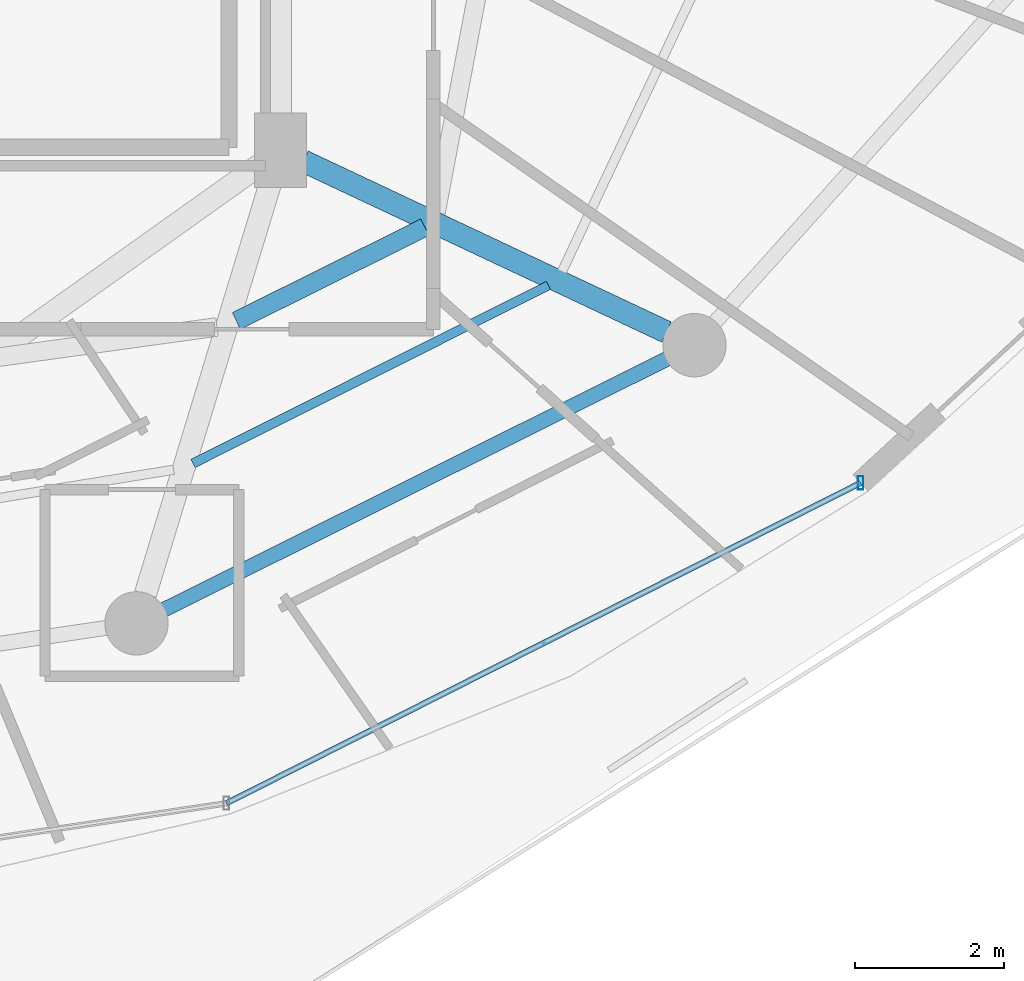
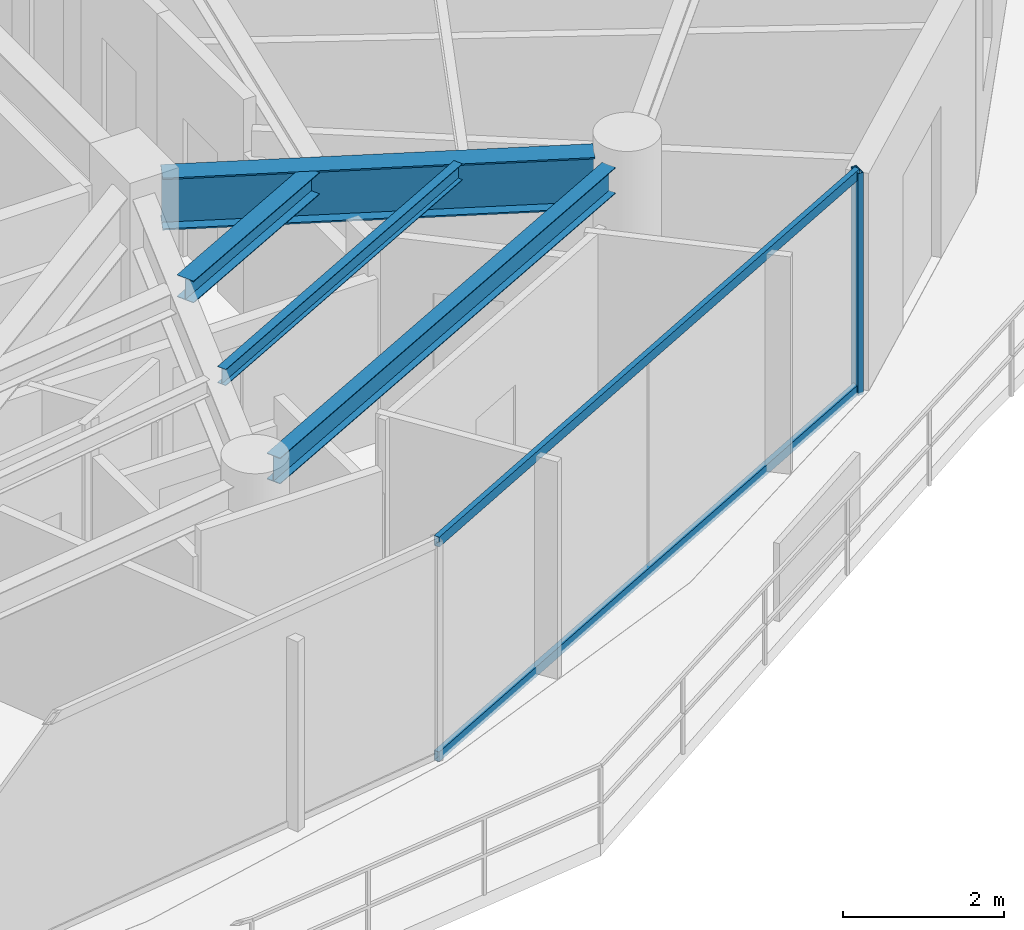
# One storey, part 11 of 29: 4 beams, 3 members, 1 element without a shape of its own.
"""IFC4 building model written with IfcOpenShell, lengths in metres."""

from ifc_helpers import new_model, si_unit, direction, frame, origin, origin_2d, place, context, subcontext, project, spatial, hollow_rectangle, i_section, extrude, material, material_profile, profile_set, type_object, element, aggregate, save


model = new_model("IFC4")

# Units and contexts
model_context = context("Model", 3, precision=1e-05, world=origin(), true_north=direction((0.0, 1.0)))
body_context = subcontext(model_context, "Body", "Model", "MODEL_VIEW")
ifc_project = project(units=[si_unit("LENGTHUNIT", "METRE"), si_unit("AREAUNIT", "SQUARE_METRE"), si_unit("VOLUMEUNIT", "CUBIC_METRE"), si_unit("PLANEANGLEUNIT", "RADIAN"), si_unit("MASSUNIT", "GRAM", prefix="KILO")], contexts=[model_context])

# Site, building, storey
site_placement = place(None, origin())
site = spatial("IfcSite", under=ifc_project, at=site_placement, CompositionType="ELEMENT")
building_placement = place(site_placement, origin())
building = spatial("IfcBuilding", under=site, at=building_placement, Name="Vorneva Point Tower", CompositionType="ELEMENT")
storey_placement = place(building_placement, frame((0.0, 0.0, 259.10009765625)))
storey = spatial("IfcBuildingStorey", under=building, at=storey_placement, Name="L70", CompositionType="ELEMENT", Elevation=259.10009765625)

# Beams
ifc_material_1 = material(Name="Steel S355", Category="steel")
ifc_material_profile_1 = material_profile(ifc_material_1, i_section(OverallWidth=0.300048828125, OverallDepth=0.7880859375, WebThickness=0.014404296875, FlangeThickness=0.02197265625, at=origin_2d()), Name="80Sh1")
ifc_profile_set_1 = profile_set([ifc_material_profile_1], Name="Steel S355")
beam_type_1 = type_object("IfcBeamType", Name="BM-GRD-80Sh1", PredefinedType="USERDEFINED", material=ifc_profile_set_1)
beam_1_placement = place(storey_placement, frame((53.925048828125, 14.013671875, 2.89599609375), z_axis=(-0.904750812805, 0.425941271455, 0.0), x_axis=(-0.425941271455, -0.904750812805, 0.0)))
element("IfcBeam", 1, at=beam_1_placement, inside=storey, type_object=beam_type_1, Name="L70 Radial Primary Girder 15", ObjectType="GIRDER", PredefinedType="USERDEFINED", context=body_context, shape_type="SweptSolid", body=[
    extrude(i_section(OverallWidth=0.300048828125, OverallDepth=0.7880859375, WebThickness=0.014404296875, FlangeThickness=0.02197265625, at=origin_2d()), origin(), (0.0, 0.0, 1.0), 5.3798828125),
])
ifc_material_profile_2 = material_profile(ifc_material_1, i_section(OverallWidth=0.1240234375, OverallDepth=0.248046875, WebThickness=0.0048828125, FlangeThickness=0.008056640625, at=origin_2d()), Name="25B1")
ifc_profile_set_2 = profile_set([ifc_material_profile_2], Name="Steel S355")
beam_type_2 = type_object("IfcBeamType", Name="BM-JST-25B1", PredefinedType="JOIST", material=ifc_profile_set_2)
beam_2_placement = place(storey_placement, frame((47.577392578125, 12.252197265625, 3.166015625), z_axis=(0.894042010331, 0.447983128883, 0.0), x_axis=(-0.447983128883, 0.894042010331, 0.0)))
element("IfcBeam", 2, at=beam_2_placement, inside=storey, type_object=beam_type_2, Name="L70 Secondary Floor Beam 1.14", PredefinedType="JOIST", context=body_context, shape_type="SweptSolid", body=[
    extrude(i_section(OverallWidth=0.1240234375, OverallDepth=0.248046875, WebThickness=0.0048828125, FlangeThickness=0.008056640625, at=origin_2d()), origin(), (0.0, 0.0, 1.0), 5.328857421875),
])
ifc_material_profile_3 = material_profile(ifc_material_1, i_section(OverallWidth=0.2490234375, OverallDepth=0.333984375, WebThickness=0.008056640625, FlangeThickness=0.010986328125, at=origin_2d()), Name="35Sh1")
ifc_profile_set_3 = profile_set([ifc_material_profile_3], Name="Steel S355")
beam_type_3 = type_object("IfcBeamType", Name="BM-SEC-35Sh1", PredefinedType="BEAM", material=ifc_profile_set_3)
beam_3_placement = place(storey_placement, frame((48.158935546875, 14.162841796875, 3.122802734375), z_axis=(0.895531752864, 0.444997617536, 0.0), x_axis=(-0.444997617536, 0.895531752864, 0.0)))
element("IfcBeam", 3, at=beam_3_placement, inside=storey, type_object=beam_type_3, Name="L70 Secondary Floor Beam 2.14", PredefinedType="BEAM", context=body_context, shape_type="SweptSolid", body=[
    extrude(i_section(OverallWidth=0.2490234375, OverallDepth=0.333984375, WebThickness=0.008056640625, FlangeThickness=0.010986328125, at=origin_2d()), origin(), (0.0, 0.0, 1.0), 2.822265625),
])
ifc_material_profile_4 = material_profile(ifc_material_1, i_section(OverallWidth=0.198974609375, OverallDepth=0.39599609375, WebThickness=0.007080078125, FlangeThickness=0.010986328125, at=origin_2d()), Name="40B1")
ifc_profile_set_4 = profile_set([ifc_material_profile_4], Name="Steel S355")
beam_type_4 = type_object("IfcBeamType", Name="BM-SPN-40B1", PredefinedType="SPANDREL", material=ifc_profile_set_4)
beam_4_placement = place(storey_placement, frame((47.187744140625, 10.292236328125, 3.091796875), z_axis=(0.894932011528, 0.446202526599, 0.0), x_axis=(-0.446202526599, 0.894932011528, 0.0)))
element("IfcBeam", 4, at=beam_4_placement, inside=storey, type_object=beam_type_4, Name="L70 Perimeter Spandrel Ring Beam 14", PredefinedType="SPANDREL", context=body_context, shape_type="SweptSolid", body=[
    extrude(i_section(OverallWidth=0.198974609375, OverallDepth=0.39599609375, WebThickness=0.007080078125, FlangeThickness=0.010986328125, at=origin_2d()), origin(), (0.0, 0.0, 1.0), 7.535888671875),
])

# Curtain wall, members
ifc_material_2 = material(Name="Pale anodised aluminium", Category="aluminium")
curtain_wall_type = type_object("IfcCurtainWallType", Name="CW-RES-SYS", PredefinedType="NOTDEFINED", material=ifc_material_2)
curtain_wall_placement = place(storey_placement, origin())
curtain_wall = element("IfcCurtainWall", 5, at=curtain_wall_placement, inside=storey, type_object=curtain_wall_type, Name="L70 Unitised Curtain Wall CW-L70-R04", PredefinedType="NOTDEFINED")
ifc_material_profile_5 = material_profile(ifc_material_2, hollow_rectangle(XDim=0.074951171875, YDim=0.179931640625, WallThickness=0.00390625, at=origin_2d()), Name="AL-MUL 180x75x4")
ifc_profile_set_5 = profile_set([ifc_material_profile_5], Name="Pale anodised aluminium")
member_type_1 = type_object("IfcMemberType", Name="CW-MUL-180", PredefinedType="MULLION", material=ifc_profile_set_5)
member_1_placement = place(storey_placement, frame((56.526123046875, 11.9921875, -0.0400390625), z_axis=(0.0, 0.0, 1.0), x_axis=(1.0, 0.0, 0.0)))
member_1 = element("IfcMember", 6, at=member_1_placement, type_object=member_type_1, Name="CW-L70-R04 Mullion 05", PredefinedType="MULLION", context=body_context, shape_type="SweptSolid", body=[
    extrude(hollow_rectangle(XDim=0.074951171875, YDim=0.179931640625, WallThickness=0.00390625, at=origin_2d()), origin(), (0.0, 0.0, 1.0), 3.35986328125),
])
ifc_material_profile_6 = material_profile(ifc_material_2, hollow_rectangle(XDim=0.074951171875, YDim=0.14990234375, WallThickness=0.00390625, at=origin_2d()), Name="AL-TRN 150x75x4")
ifc_profile_set_6 = profile_set([ifc_material_profile_6], Name="Pale anodised aluminium")
member_type_2 = type_object("IfcMemberType", Name="CW-TRN-150", PredefinedType="USERDEFINED", material=ifc_profile_set_6)
member_2_placement = place(storey_placement, frame((48.0263671875, 7.697998046875, 0.02001953125), z_axis=(0.892558185815, 0.450932239848, 0.0), x_axis=(-0.450932239848, 0.892558185815, 0.0)))
member_2 = element("IfcMember", 7, at=member_2_placement, type_object=member_type_2, Name="CW-L70-R04 Transom 04.1", ObjectType="TRANSOM", PredefinedType="USERDEFINED", context=body_context, shape_type="SweptSolid", body=[
    extrude(hollow_rectangle(XDim=0.074951171875, YDim=0.14990234375, WallThickness=0.00390625, at=origin_2d()), origin(), (0.0, 0.0, 1.0), 9.52294921875),
])
member_3_placement = place(storey_placement, frame((48.0263671875, 7.697998046875, 3.27001953125), z_axis=(0.892558185815, 0.450932239848, 0.0), x_axis=(-0.450932239848, 0.892558185815, 0.0)))
member_3 = element("IfcMember", 8, at=member_3_placement, type_object=member_type_2, Name="CW-L70-R04 Transom 04.2", ObjectType="TRANSOM", PredefinedType="USERDEFINED", context=body_context, shape_type="SweptSolid", body=[
    extrude(hollow_rectangle(XDim=0.074951171875, YDim=0.14990234375, WallThickness=0.00390625, at=origin_2d()), origin(), (0.0, 0.0, 1.0), 9.52294921875),
])
aggregate(curtain_wall, [member_1, member_2, member_3])

save(model, "model.ifc")
